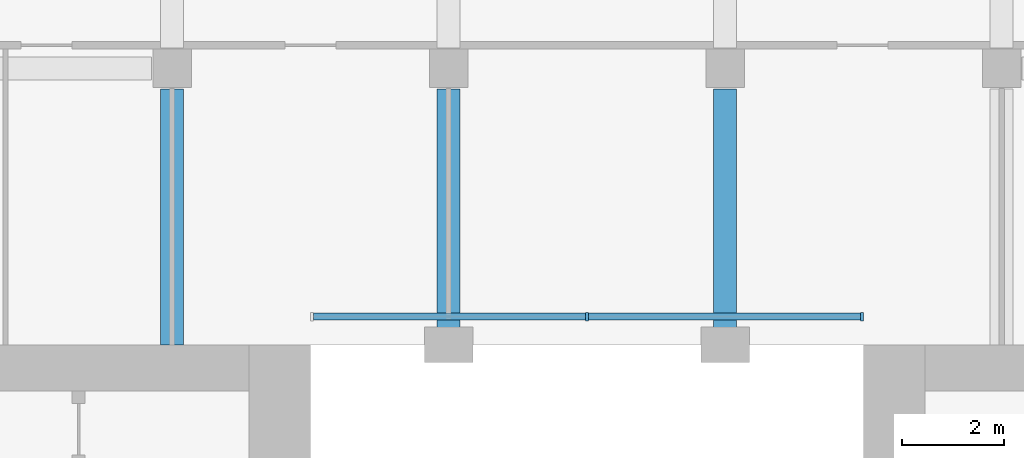
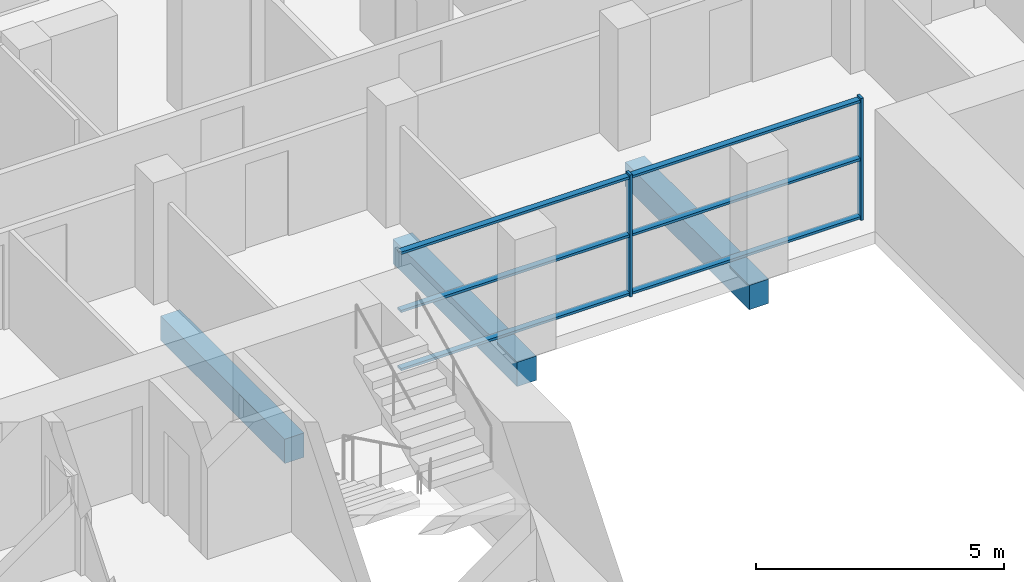
# One storey, part 4 of 15: 8 members, 3 beams, 1 element without a shape of its own.
"""IFC4 building model written with IfcOpenShell, lengths in metres."""

from ifc_helpers import new_model, si_unit, direction, frame, origin, origin_2d, place, context, subcontext, project, spatial, rectangle, extrude, material, material_profile, profile_set, type_object, element, aggregate, save


model = new_model("IFC4")

# Units and contexts
model_context = context("Model", 3, precision=1e-05, world=origin(), true_north=direction((0.0, 1.0)))
body_context = subcontext(model_context, "Body", "Model", "MODEL_VIEW")
ifc_project = project(units=[si_unit("LENGTHUNIT", "METRE"), si_unit("AREAUNIT", "SQUARE_METRE"), si_unit("VOLUMEUNIT", "CUBIC_METRE"), si_unit("PLANEANGLEUNIT", "RADIAN"), si_unit("MASSUNIT", "GRAM", prefix="KILO")], contexts=[model_context])

# Site, building, storey
site_placement = place(None, origin())
site = spatial("IfcSite", under=ifc_project, at=site_placement, CompositionType="ELEMENT")
building_placement = place(site_placement, origin())
building = spatial("IfcBuilding", under=site, at=building_placement, Name="Tabaq Tower and Sports Hall", CompositionType="ELEMENT")
storey_placement = place(building_placement, frame((0.0, 0.0, 207.10009765625)))
storey = spatial("IfcBuildingStorey", under=building, at=storey_placement, Name="L51", CompositionType="ELEMENT", Elevation=207.10009765625)

# Curtain wall, members
ifc_material_1 = material(Name="Aluminium alloy 6063-T6 framed glazing", Category="aluminium")
curtain_wall_type = type_object("IfcCurtainWallType", Name="CW1 curtain wall", PredefinedType="USERDEFINED", material=ifc_material_1)
curtain_wall_placement = place(storey_placement, origin())
curtain_wall = element("IfcCurtainWall", 1, at=curtain_wall_placement, inside=storey, type_object=curtain_wall_type, Name="Atrium glazing L51 N", ObjectType="ATRIUM ENCLOSURE", PredefinedType="USERDEFINED")
ifc_material_2 = material(Name="Aluminium alloy 6063-T6", Category="aluminium")
ifc_material_profile_1 = material_profile(ifc_material_2, rectangle(XDim=0.159912109375, YDim=0.06005859375, at=origin_2d()), Name="MULLION 160x60")
ifc_profile_set_1 = profile_set([ifc_material_profile_1], Name="Aluminium alloy 6063-T6")
member_type_1 = type_object("IfcMemberType", Name="CW1 mullion 160x60", PredefinedType="MULLION", material=ifc_profile_set_1)
member_1_placement = place(storey_placement, frame((24.300048828125, 32.949951171875, 0.0), z_axis=(0.0, 0.0, 1.0), x_axis=(0.0, 1.0, 0.0)))
member_1 = element("IfcMember", 2, at=member_1_placement, type_object=member_type_1, Name="CW1 mullion 2", PredefinedType="MULLION", context=body_context, shape_type="SweptSolid", body=[
    extrude(rectangle(XDim=0.159912109375, YDim=0.06005859375, at=origin_2d()), origin(), (0.0, 0.0, 1.0), 3.0),
])
member_2_placement = place(storey_placement, frame((29.669921875, 32.949951171875, 0.0), z_axis=(0.0, 0.0, 1.0), x_axis=(0.0, 1.0, 0.0)))
member_2 = element("IfcMember", 3, at=member_2_placement, type_object=member_type_1, Name="CW1 mullion 3", PredefinedType="MULLION", context=body_context, shape_type="SweptSolid", body=[
    extrude(rectangle(XDim=0.159912109375, YDim=0.06005859375, at=origin_2d()), origin(), (0.0, 0.0, 1.0), 3.0),
])
ifc_material_3 = material(Name="Aluminium alloy 6063-T6", Category="aluminium")
ifc_material_profile_2 = material_profile(ifc_material_3, rectangle(XDim=0.139892578125, YDim=0.06005859375, at=origin_2d()), Name="TRANSOM 140x60")
ifc_profile_set_2 = profile_set([ifc_material_profile_2], Name="Aluminium alloy 6063-T6")
member_type_2 = type_object("IfcMemberType", Name="CW1 transom 140x60", PredefinedType="USERDEFINED", material=ifc_profile_set_2)
member_3_placement = place(storey_placement, frame((18.9599609375, 32.949951171875, 0.06982421875), z_axis=(1.0, 0.0, 0.0), x_axis=(0.0, 1.0, 0.0)))
member_3 = element("IfcMember", 4, at=member_3_placement, type_object=member_type_2, Name="CW1 transom 1.1", ObjectType="TRANSOM", PredefinedType="USERDEFINED", context=body_context, shape_type="SweptSolid", body=[
    extrude(rectangle(XDim=0.139892578125, YDim=0.06005859375, at=origin_2d()), origin(), (0.0, 0.0, 1.0), 5.31005859375),
])
member_4_placement = place(storey_placement, frame((18.9599609375, 32.949951171875, 1.5), z_axis=(1.0, 0.0, 0.0), x_axis=(0.0, 1.0, 0.0)))
member_4 = element("IfcMember", 5, at=member_4_placement, type_object=member_type_2, Name="CW1 transom 1.2", ObjectType="TRANSOM", PredefinedType="USERDEFINED", context=body_context, shape_type="SweptSolid", body=[
    extrude(rectangle(XDim=0.139892578125, YDim=0.06005859375, at=origin_2d()), origin(), (0.0, 0.0, 1.0), 5.31005859375),
])
member_5_placement = place(storey_placement, frame((18.9599609375, 32.949951171875, 2.929931640625), z_axis=(1.0, 0.0, 0.0), x_axis=(0.0, 1.0, 0.0)))
member_5 = element("IfcMember", 6, at=member_5_placement, type_object=member_type_2, Name="CW1 transom 1.3", ObjectType="TRANSOM", PredefinedType="USERDEFINED", context=body_context, shape_type="SweptSolid", body=[
    extrude(rectangle(XDim=0.139892578125, YDim=0.06005859375, at=origin_2d()), origin(), (0.0, 0.0, 1.0), 5.31005859375),
])
member_6_placement = place(storey_placement, frame((24.330078125, 32.949951171875, 0.06982421875), z_axis=(1.0, 0.0, 0.0), x_axis=(0.0, 1.0, 0.0)))
member_6 = element("IfcMember", 7, at=member_6_placement, type_object=member_type_2, Name="CW1 transom 2.1", ObjectType="TRANSOM", PredefinedType="USERDEFINED", context=body_context, shape_type="SweptSolid", body=[
    extrude(rectangle(XDim=0.139892578125, YDim=0.06005859375, at=origin_2d()), origin(), (0.0, 0.0, 1.0), 5.309814453125),
])
member_7_placement = place(storey_placement, frame((24.330078125, 32.949951171875, 1.5), z_axis=(1.0, 0.0, 0.0), x_axis=(0.0, 1.0, 0.0)))
member_7 = element("IfcMember", 8, at=member_7_placement, type_object=member_type_2, Name="CW1 transom 2.2", ObjectType="TRANSOM", PredefinedType="USERDEFINED", context=body_context, shape_type="SweptSolid", body=[
    extrude(rectangle(XDim=0.139892578125, YDim=0.06005859375, at=origin_2d()), origin(), (0.0, 0.0, 1.0), 5.309814453125),
])
member_8_placement = place(storey_placement, frame((24.330078125, 32.949951171875, 2.929931640625), z_axis=(1.0, 0.0, 0.0), x_axis=(0.0, 1.0, 0.0)))
member_8 = element("IfcMember", 9, at=member_8_placement, type_object=member_type_2, Name="CW1 transom 2.3", ObjectType="TRANSOM", PredefinedType="USERDEFINED", context=body_context, shape_type="SweptSolid", body=[
    extrude(rectangle(XDim=0.139892578125, YDim=0.06005859375, at=origin_2d()), origin(), (0.0, 0.0, 1.0), 5.309814453125),
])
aggregate(curtain_wall, [member_1, member_2, member_3, member_4, member_5, member_6, member_7, member_8])

# Beams
ifc_material_4 = material(Name="Concrete C40/50", Category="concrete")
ifc_material_profile_3 = material_profile(ifc_material_4, rectangle(XDim=0.449951171875, YDim=0.60009765625, at=origin_2d()), Name="CB 450x600")
ifc_profile_set_3 = profile_set([ifc_material_profile_3], Name="Concrete C40/50")
beam_type = type_object("IfcBeamType", Name="PT CANTILEVER BEAM CB 450x600 C40/50", PredefinedType="BEAM", material=ifc_profile_set_3)
for number, where, z_axis, x_axis, name in (
    (10, (16.199951171875, 37.39990234375, -0.60009765625), (0.0, -1.0, 0.0), (1.0, 0.0, 0.0), "Cantilever Beam L51 N3 span 3"),
    (11, (21.60009765625, 37.39990234375, -0.60009765625), (0.0, -1.0, 0.0), (1.0, 0.0, 0.0), "Cantilever Beam L51 N4 span 3"),
    (12, (27.0, 37.39990234375, -0.60009765625), (0.0, -1.0, 0.0), (1.0, 0.0, 0.0), "Cantilever Beam L51 N5 span 3"),
):
    element("IfcBeam", number, at=place(storey_placement, frame(where, z_axis=z_axis, x_axis=x_axis)), inside=storey, type_object=beam_type, Name=name, PredefinedType="BEAM", context=body_context, shape_type="SweptSolid", body=[
        extrude(rectangle(XDim=0.449951171875, YDim=0.60009765625, at=origin_2d()), origin(), (0.0, 0.0, 1.0), 5.0),
    ])

save(model, "model.ifc")
